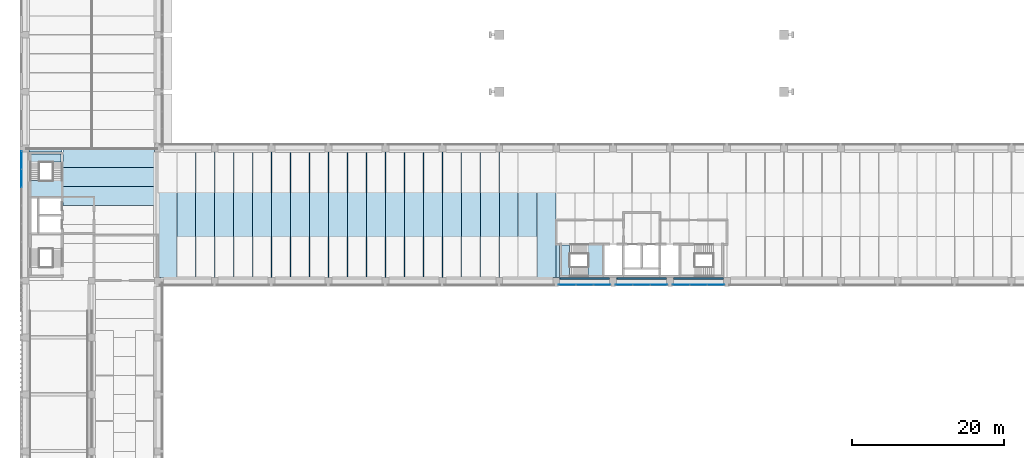
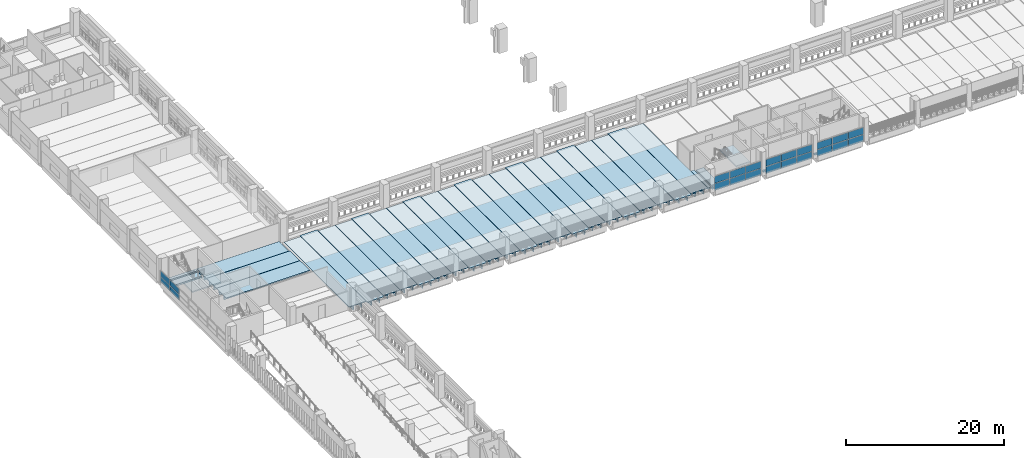
# One storey, part 22 of 57: 33 slabs, 22 plates, 6 elements without a shape of their own.
"""IFC4 building model written with IfcOpenShell, lengths in metres."""

from ifc_helpers import new_model, si_unit, direction, frame, origin, origin_2d, place, context, subcontext, project, spatial, polyline, rectangle, outline, extrude, material, layer, layer_set, material_profile, profile_set, type_object, element, aggregate, save


model = new_model("IFC4")

# Units and contexts
model_context = context("Model", 3, precision=1e-05, world=origin(), true_north=direction((0.0, 1.0)))
body_context = subcontext(model_context, "Body", "Model", "MODEL_VIEW")
ifc_project = project(units=[si_unit("LENGTHUNIT", "METRE"), si_unit("AREAUNIT", "SQUARE_METRE"), si_unit("VOLUMEUNIT", "CUBIC_METRE"), si_unit("PLANEANGLEUNIT", "RADIAN"), si_unit("MASSUNIT", "GRAM", prefix="KILO")], contexts=[model_context])

# Site, building, storey
site_placement = place(None, origin())
site = spatial("IfcSite", under=ifc_project, at=site_placement, CompositionType="ELEMENT")
building_placement = place(site_placement, origin())
building = spatial("IfcBuilding", under=site, at=building_placement, Name="Cour d'Honneur Mobility Palace", CompositionType="ELEMENT")
storey_placement = place(building_placement, frame((0.0, 0.0, 8.199951171875)))
storey = spatial("IfcBuildingStorey", under=building, at=storey_placement, Name="L02", CompositionType="ELEMENT", Elevation=8.199951171875)

# Slabs
ifc_material_1 = material(Name="Concrete C50", Category="concrete")
ifc_layer_1 = layer(ifc_material_1, 0.25)
ifc_layer_set_1 = layer_set([ifc_layer_1], Name="Concrete C50")
slab_type_1 = type_object("IfcSlabType", Name="Cast-in-place Slab 250", PredefinedType="FLOOR", material=ifc_layer_set_1)
slab_1_placement = place(storey_placement, frame((0.0, 0.0, -0.25)))
element("IfcSlab", 1, at=slab_1_placement, inside=storey, type_object=slab_type_1, Name="Cast-in-place slab S1 L02 core", PredefinedType="FLOOR", context=body_context, shape_type="SweptSolid", body=[
    extrude(outline(polyline([(0.449951171875, 61.949951171875), (0.449951171875, 62.39990234375), (4.800048828125, 62.39990234375), (4.800048828125, 61.949951171875), (0.449951171875, 61.949951171875)])), origin(), (0.0, 0.0, 1.0), 0.25),
])
slab_2_placement = place(storey_placement, frame((0.0, 0.0, -0.25)))
element("IfcSlab", 2, at=slab_2_placement, inside=storey, type_object=slab_type_1, Name="Cast-in-place slab S1 L02 core", PredefinedType="FLOOR", context=body_context, shape_type="SweptSolid", body=[
    extrude(outline(polyline([(4.675048828125, 60.625), (0.699951171875, 60.625), (0.699951171875, 61.699951171875), (4.675048828125, 61.699951171875), (4.675048828125, 60.625)])), origin(), (0.0, 0.0, 1.0), 0.25),
])
slab_3_placement = place(storey_placement, frame((0.0, 0.0, -0.25)))
element("IfcSlab", 3, at=slab_3_placement, inside=storey, type_object=slab_type_1, Name="Cast-in-place slab S1 L02 core", PredefinedType="FLOOR", context=body_context, shape_type="SweptSolid", body=[
    extrude(outline(polyline([(70.35009765625, 49.800048828125), (70.35009765625, 45.449951171875), (69.89990234375, 45.449951171875), (69.89990234375, 49.800048828125), (70.35009765625, 49.800048828125)])), origin(), (0.0, 0.0, 1.0), 0.25),
])
slab_4_placement = place(storey_placement, frame((0.0, 0.0, -0.25)))
element("IfcSlab", 4, at=slab_4_placement, inside=storey, type_object=slab_type_1, Name="Cast-in-place slab S1 L02 core", PredefinedType="FLOOR", context=body_context, shape_type="SweptSolid", body=[
    extrude(outline(polyline([(85.35009765625, 45.449951171875), (91.949951171875, 45.449951171875), (91.949951171875, 45.199951171875), (85.35009765625, 45.199951171875), (85.35009765625, 45.449951171875)])), origin(), (0.0, 0.0, 1.0), 0.25),
])
slab_5_placement = place(storey_placement, frame((0.0, 0.0, -0.25)))
element("IfcSlab", 5, at=slab_5_placement, inside=storey, type_object=slab_type_1, Name="Cast-in-place slab S1 L02 core", PredefinedType="FLOOR", context=body_context, shape_type="SweptSolid", body=[
    extrude(outline(polyline([(84.449951171875, 45.199951171875), (77.85009765625, 45.199951171875), (77.85009765625, 45.449951171875), (84.449951171875, 45.449951171875), (84.449951171875, 45.199951171875)])), origin(), (0.0, 0.0, 1.0), 0.25),
])
slab_6_placement = place(storey_placement, frame((0.0, 0.0, -0.25)))
element("IfcSlab", 6, at=slab_6_placement, inside=storey, type_object=slab_type_1, Name="Cast-in-place slab S1 L02 core", PredefinedType="FLOOR", context=body_context, shape_type="SweptSolid", body=[
    extrude(outline(polyline([(70.35009765625, 45.449951171875), (76.949951171875, 45.449951171875), (76.949951171875, 45.199951171875), (70.35009765625, 45.199951171875), (70.35009765625, 45.449951171875)])), origin(), (0.0, 0.0, 1.0), 0.25),
])
slab_7_placement = place(storey_placement, frame((0.0, 0.0, -0.25)))
element("IfcSlab", 7, at=slab_7_placement, inside=storey, type_object=slab_type_1, Name="Cast-in-place slab S1 L02 core", PredefinedType="FLOOR", context=body_context, shape_type="SweptSolid", body=[
    extrude(outline(polyline([(71.675048828125, 49.675048828125), (71.675048828125, 45.699951171875), (70.60009765625, 45.699951171875), (70.60009765625, 49.675048828125), (71.675048828125, 49.675048828125)])), origin(), (0.0, 0.0, 1.0), 0.25),
])

# Curtain wall, plates
ifc_material_2 = material(Name="Aluminium and glass", Category="aluminium")
ifc_layer_2 = layer(ifc_material_2, 0.10009765625)
ifc_layer_set_2 = layer_set([ifc_layer_2], Name="Aluminium and glass")
curtain_wall_type = type_object("IfcCurtainWallType", Name="Curtain wall run", PredefinedType="NOTDEFINED", material=ifc_layer_set_2)
curtain_wall_1_placement = place(storey_placement, origin())
curtain_wall_1 = element("IfcCurtainWall", 8, at=curtain_wall_1_placement, inside=storey, type_object=curtain_wall_type, Name="Curtain wall CW-75", PredefinedType="NOTDEFINED")
ifc_material_3 = material(Name="Double glazing", Category="glass")
ifc_layer_3 = layer(ifc_material_3, 0.028076171875)
ifc_layer_set_3 = layer_set([ifc_layer_3], Name="Double glazing")
plate_type = type_object("IfcPlateType", Name="Curtain wall panel", PredefinedType="CURTAIN_PANEL", material=ifc_layer_set_3)
plate_1_placement = place(storey_placement, frame((71.364990234375, 44.449951171875, 0.06005859375), z_axis=(0.0, 0.0, 1.0), x_axis=(1.0, 0.0, 0.0)))
plate_1 = element("IfcPlate", 9, at=plate_1_placement, type_object=plate_type, Name="CW-75 panel 1.1", PredefinedType="CURTAIN_PANEL", context=body_context, shape_type="SweptSolid", body=[
    extrude(rectangle(XDim=2.2099609375, YDim=0.028076171875, at=origin_2d()), origin(), (0.0, 0.0, 1.0), 1.06005859375),
])
plate_2_placement = place(storey_placement, frame((71.364990234375, 44.449951171875, 1.179931640625), z_axis=(0.0, 0.0, 1.0), x_axis=(1.0, 0.0, 0.0)))
plate_2 = element("IfcPlate", 10, at=plate_2_placement, type_object=plate_type, Name="CW-75 panel 1.2", PredefinedType="CURTAIN_PANEL", context=body_context, shape_type="SweptSolid", body=[
    extrude(rectangle(XDim=2.2099609375, YDim=0.028076171875, at=origin_2d()), origin(), (0.0, 0.0, 1.0), 1.06005859375),
])
plate_3_placement = place(storey_placement, frame((73.64990234375, 44.449951171875, 0.06005859375), z_axis=(0.0, 0.0, 1.0), x_axis=(1.0, 0.0, 0.0)))
plate_3 = element("IfcPlate", 11, at=plate_3_placement, type_object=plate_type, Name="CW-75 panel 2.1", PredefinedType="CURTAIN_PANEL", context=body_context, shape_type="SweptSolid", body=[
    extrude(rectangle(XDim=2.239990234375, YDim=0.028076171875, at=origin_2d()), origin(), (0.0, 0.0, 1.0), 1.06005859375),
])
plate_4_placement = place(storey_placement, frame((73.64990234375, 44.449951171875, 1.179931640625), z_axis=(0.0, 0.0, 1.0), x_axis=(1.0, 0.0, 0.0)))
plate_4 = element("IfcPlate", 12, at=plate_4_placement, type_object=plate_type, Name="CW-75 panel 2.2", PredefinedType="CURTAIN_PANEL", context=body_context, shape_type="SweptSolid", body=[
    extrude(rectangle(XDim=2.239990234375, YDim=0.028076171875, at=origin_2d()), origin(), (0.0, 0.0, 1.0), 1.06005859375),
])
plate_5_placement = place(storey_placement, frame((75.93505859375, 44.449951171875, 0.06005859375), z_axis=(0.0, 0.0, 1.0), x_axis=(1.0, 0.0, 0.0)))
plate_5 = element("IfcPlate", 13, at=plate_5_placement, type_object=plate_type, Name="CW-75 panel 3.1", PredefinedType="CURTAIN_PANEL", context=body_context, shape_type="SweptSolid", body=[
    extrude(rectangle(XDim=2.2099609375, YDim=0.028076171875, at=origin_2d()), origin(), (0.0, 0.0, 1.0), 1.06005859375),
])
plate_6_placement = place(storey_placement, frame((75.93505859375, 44.449951171875, 1.179931640625), z_axis=(0.0, 0.0, 1.0), x_axis=(1.0, 0.0, 0.0)))
plate_6 = element("IfcPlate", 14, at=plate_6_placement, type_object=plate_type, Name="CW-75 panel 3.2", PredefinedType="CURTAIN_PANEL", context=body_context, shape_type="SweptSolid", body=[
    extrude(rectangle(XDim=2.2099609375, YDim=0.028076171875, at=origin_2d()), origin(), (0.0, 0.0, 1.0), 1.06005859375),
])
aggregate(curtain_wall_1, [plate_1, plate_2, plate_3, plate_4, plate_5, plate_6])

curtain_wall_2_placement = place(storey_placement, origin())
curtain_wall_2 = element("IfcCurtainWall", 15, at=curtain_wall_2_placement, inside=storey, type_object=curtain_wall_type, Name="Curtain wall CW-76", PredefinedType="NOTDEFINED")
plate_7_placement = place(storey_placement, frame((78.864990234375, 44.449951171875, 0.06005859375), z_axis=(0.0, 0.0, 1.0), x_axis=(1.0, 0.0, 0.0)))
plate_7 = element("IfcPlate", 16, at=plate_7_placement, type_object=plate_type, Name="CW-76 panel 1.1", PredefinedType="CURTAIN_PANEL", context=body_context, shape_type="SweptSolid", body=[
    extrude(rectangle(XDim=2.2099609375, YDim=0.028076171875, at=origin_2d()), origin(), (0.0, 0.0, 1.0), 1.06005859375),
])
plate_8_placement = place(storey_placement, frame((78.864990234375, 44.449951171875, 1.179931640625), z_axis=(0.0, 0.0, 1.0), x_axis=(1.0, 0.0, 0.0)))
plate_8 = element("IfcPlate", 17, at=plate_8_placement, type_object=plate_type, Name="CW-76 panel 1.2", PredefinedType="CURTAIN_PANEL", context=body_context, shape_type="SweptSolid", body=[
    extrude(rectangle(XDim=2.2099609375, YDim=0.028076171875, at=origin_2d()), origin(), (0.0, 0.0, 1.0), 1.06005859375),
])
plate_9_placement = place(storey_placement, frame((81.14990234375, 44.449951171875, 0.06005859375), z_axis=(0.0, 0.0, 1.0), x_axis=(1.0, 0.0, 0.0)))
plate_9 = element("IfcPlate", 18, at=plate_9_placement, type_object=plate_type, Name="CW-76 panel 2.1", PredefinedType="CURTAIN_PANEL", context=body_context, shape_type="SweptSolid", body=[
    extrude(rectangle(XDim=2.239990234375, YDim=0.028076171875, at=origin_2d()), origin(), (0.0, 0.0, 1.0), 1.06005859375),
])
plate_10_placement = place(storey_placement, frame((81.14990234375, 44.449951171875, 1.179931640625), z_axis=(0.0, 0.0, 1.0), x_axis=(1.0, 0.0, 0.0)))
plate_10 = element("IfcPlate", 19, at=plate_10_placement, type_object=plate_type, Name="CW-76 panel 2.2", PredefinedType="CURTAIN_PANEL", context=body_context, shape_type="SweptSolid", body=[
    extrude(rectangle(XDim=2.239990234375, YDim=0.028076171875, at=origin_2d()), origin(), (0.0, 0.0, 1.0), 1.06005859375),
])
plate_11_placement = place(storey_placement, frame((83.43505859375, 44.449951171875, 0.06005859375), z_axis=(0.0, 0.0, 1.0), x_axis=(1.0, 0.0, 0.0)))
plate_11 = element("IfcPlate", 20, at=plate_11_placement, type_object=plate_type, Name="CW-76 panel 3.1", PredefinedType="CURTAIN_PANEL", context=body_context, shape_type="SweptSolid", body=[
    extrude(rectangle(XDim=2.2099609375, YDim=0.028076171875, at=origin_2d()), origin(), (0.0, 0.0, 1.0), 1.06005859375),
])
plate_12_placement = place(storey_placement, frame((83.43505859375, 44.449951171875, 1.179931640625), z_axis=(0.0, 0.0, 1.0), x_axis=(1.0, 0.0, 0.0)))
plate_12 = element("IfcPlate", 21, at=plate_12_placement, type_object=plate_type, Name="CW-76 panel 3.2", PredefinedType="CURTAIN_PANEL", context=body_context, shape_type="SweptSolid", body=[
    extrude(rectangle(XDim=2.2099609375, YDim=0.028076171875, at=origin_2d()), origin(), (0.0, 0.0, 1.0), 1.06005859375),
])
aggregate(curtain_wall_2, [plate_7, plate_8, plate_9, plate_10, plate_11, plate_12])

curtain_wall_3_placement = place(storey_placement, origin())
curtain_wall_3 = element("IfcCurtainWall", 22, at=curtain_wall_3_placement, inside=storey, type_object=curtain_wall_type, Name="Curtain wall CW-77", PredefinedType="NOTDEFINED")
plate_13_placement = place(storey_placement, frame((86.364990234375, 44.449951171875, 0.06005859375), z_axis=(0.0, 0.0, 1.0), x_axis=(1.0, 0.0, 0.0)))
plate_13 = element("IfcPlate", 23, at=plate_13_placement, type_object=plate_type, Name="CW-77 panel 1.1", PredefinedType="CURTAIN_PANEL", context=body_context, shape_type="SweptSolid", body=[
    extrude(rectangle(XDim=2.2099609375, YDim=0.028076171875, at=origin_2d()), origin(), (0.0, 0.0, 1.0), 1.06005859375),
])
plate_14_placement = place(storey_placement, frame((86.364990234375, 44.449951171875, 1.179931640625), z_axis=(0.0, 0.0, 1.0), x_axis=(1.0, 0.0, 0.0)))
plate_14 = element("IfcPlate", 24, at=plate_14_placement, type_object=plate_type, Name="CW-77 panel 1.2", PredefinedType="CURTAIN_PANEL", context=body_context, shape_type="SweptSolid", body=[
    extrude(rectangle(XDim=2.2099609375, YDim=0.028076171875, at=origin_2d()), origin(), (0.0, 0.0, 1.0), 1.06005859375),
])
plate_15_placement = place(storey_placement, frame((88.64990234375, 44.449951171875, 0.06005859375), z_axis=(0.0, 0.0, 1.0), x_axis=(1.0, 0.0, 0.0)))
plate_15 = element("IfcPlate", 25, at=plate_15_placement, type_object=plate_type, Name="CW-77 panel 2.1", PredefinedType="CURTAIN_PANEL", context=body_context, shape_type="SweptSolid", body=[
    extrude(rectangle(XDim=2.239990234375, YDim=0.028076171875, at=origin_2d()), origin(), (0.0, 0.0, 1.0), 1.06005859375),
])
plate_16_placement = place(storey_placement, frame((88.64990234375, 44.449951171875, 1.179931640625), z_axis=(0.0, 0.0, 1.0), x_axis=(1.0, 0.0, 0.0)))
plate_16 = element("IfcPlate", 26, at=plate_16_placement, type_object=plate_type, Name="CW-77 panel 2.2", PredefinedType="CURTAIN_PANEL", context=body_context, shape_type="SweptSolid", body=[
    extrude(rectangle(XDim=2.239990234375, YDim=0.028076171875, at=origin_2d()), origin(), (0.0, 0.0, 1.0), 1.06005859375),
])
plate_17_placement = place(storey_placement, frame((90.93505859375, 44.449951171875, 0.06005859375), z_axis=(0.0, 0.0, 1.0), x_axis=(1.0, 0.0, 0.0)))
plate_17 = element("IfcPlate", 27, at=plate_17_placement, type_object=plate_type, Name="CW-77 panel 3.1", PredefinedType="CURTAIN_PANEL", context=body_context, shape_type="SweptSolid", body=[
    extrude(rectangle(XDim=2.2099609375, YDim=0.028076171875, at=origin_2d()), origin(), (0.0, 0.0, 1.0), 1.06005859375),
])
plate_18_placement = place(storey_placement, frame((90.93505859375, 44.449951171875, 1.179931640625), z_axis=(0.0, 0.0, 1.0), x_axis=(1.0, 0.0, 0.0)))
plate_18 = element("IfcPlate", 28, at=plate_18_placement, type_object=plate_type, Name="CW-77 panel 3.2", PredefinedType="CURTAIN_PANEL", context=body_context, shape_type="SweptSolid", body=[
    extrude(rectangle(XDim=2.2099609375, YDim=0.028076171875, at=origin_2d()), origin(), (0.0, 0.0, 1.0), 1.06005859375),
])
aggregate(curtain_wall_3, [plate_13, plate_14, plate_15, plate_16, plate_17, plate_18])

curtain_wall_4_placement = place(storey_placement, origin())
curtain_wall_4 = element("IfcCurtainWall", 29, at=curtain_wall_4_placement, inside=storey, type_object=curtain_wall_type, Name="Curtain wall CW-101", PredefinedType="NOTDEFINED")
plate_19_placement = place(storey_placement, frame((-0.550048828125, 60.885009765625, 0.06005859375), z_axis=(0.0, 0.0, 1.0), x_axis=(0.0, -1.0, 0.0)))
plate_19 = element("IfcPlate", 30, at=plate_19_placement, type_object=plate_type, Name="CW-101 panel 1.1", PredefinedType="CURTAIN_PANEL", context=body_context, shape_type="SweptSolid", body=[
    extrude(rectangle(XDim=2.31005859375, YDim=0.028076171875, at=origin_2d()), origin(), (0.0, 0.0, 1.0), 0.860107421875),
])
plate_20_placement = place(storey_placement, frame((-0.550048828125, 60.885009765625, 0.97998046875), z_axis=(0.0, 0.0, 1.0), x_axis=(0.0, -1.0, 0.0)))
plate_20 = element("IfcPlate", 31, at=plate_20_placement, type_object=plate_type, Name="CW-101 panel 1.2", PredefinedType="CURTAIN_PANEL", context=body_context, shape_type="SweptSolid", body=[
    extrude(rectangle(XDim=2.31005859375, YDim=0.028076171875, at=origin_2d()), origin(), (0.0, 0.0, 1.0), 0.860107421875),
])
plate_21_placement = place(storey_placement, frame((-0.550048828125, 58.5, 0.06005859375), z_axis=(0.0, 0.0, 1.0), x_axis=(0.0, -1.0, 0.0)))
plate_21 = element("IfcPlate", 32, at=plate_21_placement, type_object=plate_type, Name="CW-101 panel 2.1", PredefinedType="CURTAIN_PANEL", context=body_context, shape_type="SweptSolid", body=[
    extrude(rectangle(XDim=2.340087890625, YDim=0.028076171875, at=origin_2d()), origin(), (0.0, 0.0, 1.0), 0.860107421875),
])
plate_22_placement = place(storey_placement, frame((-0.550048828125, 58.5, 0.97998046875), z_axis=(0.0, 0.0, 1.0), x_axis=(0.0, -1.0, 0.0)))
plate_22 = element("IfcPlate", 33, at=plate_22_placement, type_object=plate_type, Name="CW-101 panel 2.2", PredefinedType="CURTAIN_PANEL", context=body_context, shape_type="SweptSolid", body=[
    extrude(rectangle(XDim=2.340087890625, YDim=0.028076171875, at=origin_2d()), origin(), (0.0, 0.0, 1.0), 0.860107421875),
])
aggregate(curtain_wall_4, [plate_19, plate_20, plate_21, plate_22])

# Slabs
ifc_material_4 = material(Name="Concrete C45", Category="concrete")
ifc_material_profile_1 = material_profile(ifc_material_4, outline(polyline([(-1.2451171875, 0.0), (1.2451171875, 0.0), (1.2451171875, -0.10009765625), (0.679931640625, -0.10009765625), (0.64990234375, -0.64990234375), (0.550048828125, -0.64990234375), (0.52001953125, -0.10009765625), (-0.52001953125, -0.10009765625), (-0.550048828125, -0.64990234375), (-0.64990234375, -0.64990234375), (-0.679931640625, -0.10009765625), (-1.2451171875, -0.10009765625), (-1.2451171875, 0.0)])), Name="DT 2490x650")
ifc_profile_set_1 = profile_set([ifc_material_profile_1], Name="Concrete C45")
slab_type_2 = type_object("IfcSlabType", Name="DT 2490x650", PredefinedType="FLOOR", material=ifc_profile_set_1)
for number, where, z_axis, x_axis, name in (
    (34, (4.925048828125, 56.14990234375, 0.0), (1.0, 0.0, 0.0), (0.0, 1.0, 0.0), "Double tee DT-JW4 L02"),
    (35, (4.925048828125, 58.64990234375, 0.0), (1.0, 0.0, 0.0), (0.0, 1.0, 0.0), "Double tee DT-JW5 L02"),
):
    element("IfcSlab", number, at=place(storey_placement, frame(where, z_axis=z_axis, x_axis=x_axis)), inside=storey, type_object=slab_type_2, Name=name, PredefinedType="FLOOR", context=body_context, shape_type="SweptSolid", body=[
        extrude(outline(polyline([(-1.2451171875, 0.0), (1.2451171875, 0.0), (1.2451171875, -0.10009765625), (0.679931640625, -0.10009765625), (0.64990234375, -0.64990234375), (0.550048828125, -0.64990234375), (0.52001953125, -0.10009765625), (-0.52001953125, -0.10009765625), (-0.550048828125, -0.64990234375), (-0.64990234375, -0.64990234375), (-0.679931640625, -0.10009765625), (-1.2451171875, -0.10009765625), (-1.2451171875, 0.0)])), origin(), (0.0, 0.0, 1.0), 12.224853515625),
    ])
slab_8_placement = place(storey_placement, frame((4.925048828125, 61.14990234375, 0.0), z_axis=(1.0, 0.0, 0.0), x_axis=(0.0, 1.0, 0.0)))
element("IfcSlab", 36, at=slab_8_placement, inside=storey, type_object=slab_type_2, Name="Double tee DT-JW6 L02", PredefinedType="FLOOR", context=body_context, shape_type="SweptSolid", body=[
    extrude(outline(polyline([(-1.2451171875, 0.0), (1.2451171875, 0.0), (1.2451171875, -0.10009765625), (0.679931640625, -0.10009765625), (0.64990234375, -0.64990234375), (0.550048828125, -0.64990234375), (0.52001953125, -0.10009765625), (-0.52001953125, -0.10009765625), (-0.550048828125, -0.64990234375), (-0.64990234375, -0.64990234375), (-0.679931640625, -0.10009765625), (-1.2451171875, -0.10009765625), (-1.2451171875, 0.0)])), origin(), (0.0, 0.0, 1.0), 12.02490234375),
])
ifc_material_5 = material(Name="Concrete C45", Category="concrete")
ifc_material_profile_2 = material_profile(ifc_material_5, outline(polyline([(-1.2451171875, 0.0), (1.2451171875, 0.0), (1.2451171875, -0.10009765625), (0.679931640625, -0.10009765625), (0.64990234375, -0.75), (0.550048828125, -0.75), (0.52001953125, -0.10009765625), (-0.52001953125, -0.10009765625), (-0.550048828125, -0.75), (-0.64990234375, -0.75), (-0.679931640625, -0.10009765625), (-1.2451171875, -0.10009765625), (-1.2451171875, 0.0)])), Name="DT 2490x750")
ifc_profile_set_2 = profile_set([ifc_material_profile_2], Name="Concrete C45")
slab_type_3 = type_object("IfcSlabType", Name="DT 2490x750", PredefinedType="FLOOR", material=ifc_profile_set_2)
slab_9_placement = place(storey_placement, frame((18.64990234375, 45.449951171875, 0.0), z_axis=(0.0, 1.0, 0.0), x_axis=(-1.0, 0.0, 0.0)))
element("IfcSlab", 37, at=slab_9_placement, inside=storey, type_object=slab_type_3, Name="Double tee DT-C1 L02", PredefinedType="FLOOR", context=body_context, shape_type="SweptSolid", body=[
    extrude(outline(polyline([(-1.2451171875, 0.0), (1.2451171875, 0.0), (1.2451171875, -0.10009765625), (0.679931640625, -0.10009765625), (0.64990234375, -0.75), (0.550048828125, -0.75), (0.52001953125, -0.10009765625), (-0.52001953125, -0.10009765625), (-0.550048828125, -0.75), (-0.64990234375, -0.75), (-0.679931640625, -0.10009765625), (-1.2451171875, -0.10009765625), (-1.2451171875, 0.0)])), origin(), (0.0, 0.0, 1.0), 16.5),
])
slab_10_placement = place(storey_placement, frame((21.14990234375, 45.199951171875, 0.0), z_axis=(0.0, 1.0, 0.0), x_axis=(-1.0, 0.0, 0.0)))
element("IfcSlab", 38, at=slab_10_placement, inside=storey, type_object=slab_type_3, Name="Double tee DT-C2 L02", PredefinedType="FLOOR", context=body_context, shape_type="SweptSolid", body=[
    extrude(outline(polyline([(-1.2451171875, 0.0), (1.2451171875, 0.0), (1.2451171875, -0.10009765625), (0.679931640625, -0.10009765625), (0.64990234375, -0.75), (0.550048828125, -0.75), (0.52001953125, -0.10009765625), (-0.52001953125, -0.10009765625), (-0.550048828125, -0.75), (-0.64990234375, -0.75), (-0.679931640625, -0.10009765625), (-1.2451171875, -0.10009765625), (-1.2451171875, 0.0)])), origin(), (0.0, 0.0, 1.0), 17.0),
])
for number, where, z_axis, x_axis, name in (
    (39, (23.64990234375, 45.449951171875, 0.0), (0.0, 1.0, 0.0), (-1.0, 0.0, 0.0), "Double tee DT-C3 L02"),
    (40, (26.14990234375, 45.449951171875, 0.0), (0.0, 1.0, 0.0), (-1.0, 0.0, 0.0), "Double tee DT-C4 L02"),
):
    element("IfcSlab", number, at=place(storey_placement, frame(where, z_axis=z_axis, x_axis=x_axis)), inside=storey, type_object=slab_type_3, Name=name, PredefinedType="FLOOR", context=body_context, shape_type="SweptSolid", body=[
        extrude(outline(polyline([(-1.2451171875, 0.0), (1.2451171875, 0.0), (1.2451171875, -0.10009765625), (0.679931640625, -0.10009765625), (0.64990234375, -0.75), (0.550048828125, -0.75), (0.52001953125, -0.10009765625), (-0.52001953125, -0.10009765625), (-0.550048828125, -0.75), (-0.64990234375, -0.75), (-0.679931640625, -0.10009765625), (-1.2451171875, -0.10009765625), (-1.2451171875, 0.0)])), origin(), (0.0, 0.0, 1.0), 16.5),
    ])
slab_11_placement = place(storey_placement, frame((28.64990234375, 45.199951171875, 0.0), z_axis=(0.0, 1.0, 0.0), x_axis=(-1.0, 0.0, 0.0)))
element("IfcSlab", 41, at=slab_11_placement, inside=storey, type_object=slab_type_3, Name="Double tee DT-C5 L02", PredefinedType="FLOOR", context=body_context, shape_type="SweptSolid", body=[
    extrude(outline(polyline([(-1.2451171875, 0.0), (1.2451171875, 0.0), (1.2451171875, -0.10009765625), (0.679931640625, -0.10009765625), (0.64990234375, -0.75), (0.550048828125, -0.75), (0.52001953125, -0.10009765625), (-0.52001953125, -0.10009765625), (-0.550048828125, -0.75), (-0.64990234375, -0.75), (-0.679931640625, -0.10009765625), (-1.2451171875, -0.10009765625), (-1.2451171875, 0.0)])), origin(), (0.0, 0.0, 1.0), 17.0),
])
for number, where, z_axis, x_axis, name in (
    (42, (31.14990234375, 45.449951171875, 0.0), (0.0, 1.0, 0.0), (-1.0, 0.0, 0.0), "Double tee DT-C6 L02"),
    (43, (33.64990234375, 45.449951171875, 0.0), (0.0, 1.0, 0.0), (-1.0, 0.0, 0.0), "Double tee DT-C7 L02"),
):
    element("IfcSlab", number, at=place(storey_placement, frame(where, z_axis=z_axis, x_axis=x_axis)), inside=storey, type_object=slab_type_3, Name=name, PredefinedType="FLOOR", context=body_context, shape_type="SweptSolid", body=[
        extrude(outline(polyline([(-1.2451171875, 0.0), (1.2451171875, 0.0), (1.2451171875, -0.10009765625), (0.679931640625, -0.10009765625), (0.64990234375, -0.75), (0.550048828125, -0.75), (0.52001953125, -0.10009765625), (-0.52001953125, -0.10009765625), (-0.550048828125, -0.75), (-0.64990234375, -0.75), (-0.679931640625, -0.10009765625), (-1.2451171875, -0.10009765625), (-1.2451171875, 0.0)])), origin(), (0.0, 0.0, 1.0), 16.5),
    ])
slab_12_placement = place(storey_placement, frame((36.14990234375, 45.199951171875, 0.0), z_axis=(0.0, 1.0, 0.0), x_axis=(-1.0, 0.0, 0.0)))
element("IfcSlab", 44, at=slab_12_placement, inside=storey, type_object=slab_type_3, Name="Double tee DT-C8 L02", PredefinedType="FLOOR", context=body_context, shape_type="SweptSolid", body=[
    extrude(outline(polyline([(-1.2451171875, 0.0), (1.2451171875, 0.0), (1.2451171875, -0.10009765625), (0.679931640625, -0.10009765625), (0.64990234375, -0.75), (0.550048828125, -0.75), (0.52001953125, -0.10009765625), (-0.52001953125, -0.10009765625), (-0.550048828125, -0.75), (-0.64990234375, -0.75), (-0.679931640625, -0.10009765625), (-1.2451171875, -0.10009765625), (-1.2451171875, 0.0)])), origin(), (0.0, 0.0, 1.0), 17.0),
])
for number, where, z_axis, x_axis, name in (
    (45, (38.64990234375, 45.449951171875, 0.0), (0.0, 1.0, 0.0), (-1.0, 0.0, 0.0), "Double tee DT-C9 L02"),
    (46, (41.14990234375, 45.449951171875, 0.0), (0.0, 1.0, 0.0), (-1.0, 0.0, 0.0), "Double tee DT-C10 L02"),
):
    element("IfcSlab", number, at=place(storey_placement, frame(where, z_axis=z_axis, x_axis=x_axis)), inside=storey, type_object=slab_type_3, Name=name, PredefinedType="FLOOR", context=body_context, shape_type="SweptSolid", body=[
        extrude(outline(polyline([(-1.2451171875, 0.0), (1.2451171875, 0.0), (1.2451171875, -0.10009765625), (0.679931640625, -0.10009765625), (0.64990234375, -0.75), (0.550048828125, -0.75), (0.52001953125, -0.10009765625), (-0.52001953125, -0.10009765625), (-0.550048828125, -0.75), (-0.64990234375, -0.75), (-0.679931640625, -0.10009765625), (-1.2451171875, -0.10009765625), (-1.2451171875, 0.0)])), origin(), (0.0, 0.0, 1.0), 16.5),
    ])
slab_13_placement = place(storey_placement, frame((43.64990234375, 45.199951171875, 0.0), z_axis=(0.0, 1.0, 0.0), x_axis=(-1.0, 0.0, 0.0)))
element("IfcSlab", 47, at=slab_13_placement, inside=storey, type_object=slab_type_3, Name="Double tee DT-C11 L02", PredefinedType="FLOOR", context=body_context, shape_type="SweptSolid", body=[
    extrude(outline(polyline([(-1.2451171875, 0.0), (1.2451171875, 0.0), (1.2451171875, -0.10009765625), (0.679931640625, -0.10009765625), (0.64990234375, -0.75), (0.550048828125, -0.75), (0.52001953125, -0.10009765625), (-0.52001953125, -0.10009765625), (-0.550048828125, -0.75), (-0.64990234375, -0.75), (-0.679931640625, -0.10009765625), (-1.2451171875, -0.10009765625), (-1.2451171875, 0.0)])), origin(), (0.0, 0.0, 1.0), 17.0),
])
for number, where, z_axis, x_axis, name in (
    (48, (46.14990234375, 45.449951171875, 0.0), (0.0, 1.0, 0.0), (-1.0, 0.0, 0.0), "Double tee DT-C12 L02"),
    (49, (48.64990234375, 45.449951171875, 0.0), (0.0, 1.0, 0.0), (-1.0, 0.0, 0.0), "Double tee DT-C13 L02"),
):
    element("IfcSlab", number, at=place(storey_placement, frame(where, z_axis=z_axis, x_axis=x_axis)), inside=storey, type_object=slab_type_3, Name=name, PredefinedType="FLOOR", context=body_context, shape_type="SweptSolid", body=[
        extrude(outline(polyline([(-1.2451171875, 0.0), (1.2451171875, 0.0), (1.2451171875, -0.10009765625), (0.679931640625, -0.10009765625), (0.64990234375, -0.75), (0.550048828125, -0.75), (0.52001953125, -0.10009765625), (-0.52001953125, -0.10009765625), (-0.550048828125, -0.75), (-0.64990234375, -0.75), (-0.679931640625, -0.10009765625), (-1.2451171875, -0.10009765625), (-1.2451171875, 0.0)])), origin(), (0.0, 0.0, 1.0), 16.5),
    ])
slab_14_placement = place(storey_placement, frame((51.14990234375, 45.199951171875, 0.0), z_axis=(0.0, 1.0, 0.0), x_axis=(-1.0, 0.0, 0.0)))
element("IfcSlab", 50, at=slab_14_placement, inside=storey, type_object=slab_type_3, Name="Double tee DT-C14 L02", PredefinedType="FLOOR", context=body_context, shape_type="SweptSolid", body=[
    extrude(outline(polyline([(-1.2451171875, 0.0), (1.2451171875, 0.0), (1.2451171875, -0.10009765625), (0.679931640625, -0.10009765625), (0.64990234375, -0.75), (0.550048828125, -0.75), (0.52001953125, -0.10009765625), (-0.52001953125, -0.10009765625), (-0.550048828125, -0.75), (-0.64990234375, -0.75), (-0.679931640625, -0.10009765625), (-1.2451171875, -0.10009765625), (-1.2451171875, 0.0)])), origin(), (0.0, 0.0, 1.0), 17.0),
])
for number, where, z_axis, x_axis, name in (
    (51, (53.64990234375, 45.449951171875, 0.0), (0.0, 1.0, 0.0), (-1.0, 0.0, 0.0), "Double tee DT-C15 L02"),
    (52, (56.14990234375, 45.449951171875, 0.0), (0.0, 1.0, 0.0), (-1.0, 0.0, 0.0), "Double tee DT-C16 L02"),
):
    element("IfcSlab", number, at=place(storey_placement, frame(where, z_axis=z_axis, x_axis=x_axis)), inside=storey, type_object=slab_type_3, Name=name, PredefinedType="FLOOR", context=body_context, shape_type="SweptSolid", body=[
        extrude(outline(polyline([(-1.2451171875, 0.0), (1.2451171875, 0.0), (1.2451171875, -0.10009765625), (0.679931640625, -0.10009765625), (0.64990234375, -0.75), (0.550048828125, -0.75), (0.52001953125, -0.10009765625), (-0.52001953125, -0.10009765625), (-0.550048828125, -0.75), (-0.64990234375, -0.75), (-0.679931640625, -0.10009765625), (-1.2451171875, -0.10009765625), (-1.2451171875, 0.0)])), origin(), (0.0, 0.0, 1.0), 16.5),
    ])
slab_15_placement = place(storey_placement, frame((58.64990234375, 45.199951171875, 0.0), z_axis=(0.0, 1.0, 0.0), x_axis=(-1.0, 0.0, 0.0)))
element("IfcSlab", 53, at=slab_15_placement, inside=storey, type_object=slab_type_3, Name="Double tee DT-C17 L02", PredefinedType="FLOOR", context=body_context, shape_type="SweptSolid", body=[
    extrude(outline(polyline([(-1.2451171875, 0.0), (1.2451171875, 0.0), (1.2451171875, -0.10009765625), (0.679931640625, -0.10009765625), (0.64990234375, -0.75), (0.550048828125, -0.75), (0.52001953125, -0.10009765625), (-0.52001953125, -0.10009765625), (-0.550048828125, -0.75), (-0.64990234375, -0.75), (-0.679931640625, -0.10009765625), (-1.2451171875, -0.10009765625), (-1.2451171875, 0.0)])), origin(), (0.0, 0.0, 1.0), 17.0),
])
for number, where, z_axis, x_axis, name in (
    (54, (61.14990234375, 45.449951171875, 0.0), (0.0, 1.0, 0.0), (-1.0, 0.0, 0.0), "Double tee DT-C18 L02"),
    (55, (63.64990234375, 45.449951171875, 0.0), (0.0, 1.0, 0.0), (-1.0, 0.0, 0.0), "Double tee DT-C19 L02"),
):
    element("IfcSlab", number, at=place(storey_placement, frame(where, z_axis=z_axis, x_axis=x_axis)), inside=storey, type_object=slab_type_3, Name=name, PredefinedType="FLOOR", context=body_context, shape_type="SweptSolid", body=[
        extrude(outline(polyline([(-1.2451171875, 0.0), (1.2451171875, 0.0), (1.2451171875, -0.10009765625), (0.679931640625, -0.10009765625), (0.64990234375, -0.75), (0.550048828125, -0.75), (0.52001953125, -0.10009765625), (-0.52001953125, -0.10009765625), (-0.550048828125, -0.75), (-0.64990234375, -0.75), (-0.679931640625, -0.10009765625), (-1.2451171875, -0.10009765625), (-1.2451171875, 0.0)])), origin(), (0.0, 0.0, 1.0), 16.5),
    ])
slab_16_placement = place(storey_placement, frame((66.14990234375, 45.199951171875, 0.0), z_axis=(0.0, 1.0, 0.0), x_axis=(-1.0, 0.0, 0.0)))
element("IfcSlab", 56, at=slab_16_placement, inside=storey, type_object=slab_type_3, Name="Double tee DT-C20 L02", PredefinedType="FLOOR", context=body_context, shape_type="SweptSolid", body=[
    extrude(outline(polyline([(-1.2451171875, 0.0), (1.2451171875, 0.0), (1.2451171875, -0.10009765625), (0.679931640625, -0.10009765625), (0.64990234375, -0.75), (0.550048828125, -0.75), (0.52001953125, -0.10009765625), (-0.52001953125, -0.10009765625), (-0.550048828125, -0.75), (-0.64990234375, -0.75), (-0.679931640625, -0.10009765625), (-1.2451171875, -0.10009765625), (-1.2451171875, 0.0)])), origin(), (0.0, 0.0, 1.0), 17.0),
])
slab_17_placement = place(storey_placement, frame((68.64990234375, 45.449951171875, 0.0), z_axis=(0.0, 1.0, 0.0), x_axis=(-1.0, 0.0, 0.0)))
element("IfcSlab", 57, at=slab_17_placement, inside=storey, type_object=slab_type_3, Name="Double tee DT-C21 L02", PredefinedType="FLOOR", context=body_context, shape_type="SweptSolid", body=[
    extrude(outline(polyline([(-1.2451171875, 0.0), (1.2451171875, 0.0), (1.2451171875, -0.10009765625), (0.679931640625, -0.10009765625), (0.64990234375, -0.75), (0.550048828125, -0.75), (0.52001953125, -0.10009765625), (-0.52001953125, -0.10009765625), (-0.550048828125, -0.75), (-0.64990234375, -0.75), (-0.679931640625, -0.10009765625), (-1.2451171875, -0.10009765625), (-1.2451171875, 0.0)])), origin(), (0.0, 0.0, 1.0), 16.5),
])

# Stair, slab
ifc_material_6 = material(Name="Concrete C50", Category="concrete")
stair_type = type_object("IfcStairType", Name="Stair 20 risers", PredefinedType="HALF_TURN_STAIR", material=ifc_material_6)
stair_1_placement = place(storey_placement, origin())
stair_1 = element("IfcStair", 58, at=stair_1_placement, inside=storey, type_object=stair_type, Name="Stair ST-CW2", PredefinedType="HALF_TURN_STAIR")
ifc_material_7 = material(Name="Concrete C50", Category="concrete")
ifc_layer_4 = layer(ifc_material_7, 0.199951171875)
ifc_layer_set_4 = layer_set([ifc_layer_4], Name="Concrete C50")
slab_type_4 = type_object("IfcSlabType", Name="Stair landing", PredefinedType="LANDING", material=ifc_layer_set_4)
slab_18_placement = place(storey_placement, frame((0.0, 0.0, 1.650146484375)))
slab_18 = element("IfcSlab", 59, at=slab_18_placement, type_object=slab_type_4, Name="ST-CW2 landing 1", PredefinedType="LANDING", context=body_context, shape_type="SweptSolid", body=[
    extrude(outline(polyline([(0.574951171875, 56.0), (4.800048828125, 56.0), (4.800048828125, 58.195068359375), (0.574951171875, 58.195068359375), (0.574951171875, 56.0)])), origin(), (0.0, 0.0, 1.0), 0.199951171875),
])
aggregate(stair_1, [slab_18])

stair_2_placement = place(storey_placement, origin())
stair_2 = element("IfcStair", 60, at=stair_2_placement, inside=storey, type_object=stair_type, Name="Stair ST-CC1", PredefinedType="HALF_TURN_STAIR")
slab_19_placement = place(storey_placement, frame((0.0, 0.0, 1.650146484375)))
slab_19 = element("IfcSlab", 61, at=slab_19_placement, type_object=slab_type_4, Name="ST-CC1 landing 1", PredefinedType="LANDING", context=body_context, shape_type="SweptSolid", body=[
    extrude(outline(polyline([(74.10498046875, 45.574951171875), (76.10009765625, 45.574951171875), (76.10009765625, 49.800048828125), (74.10498046875, 49.800048828125), (74.10498046875, 45.574951171875)])), origin(), (0.0, 0.0, 1.0), 0.199951171875),
])
aggregate(stair_2, [slab_19])

save(model, "model.ifc")
